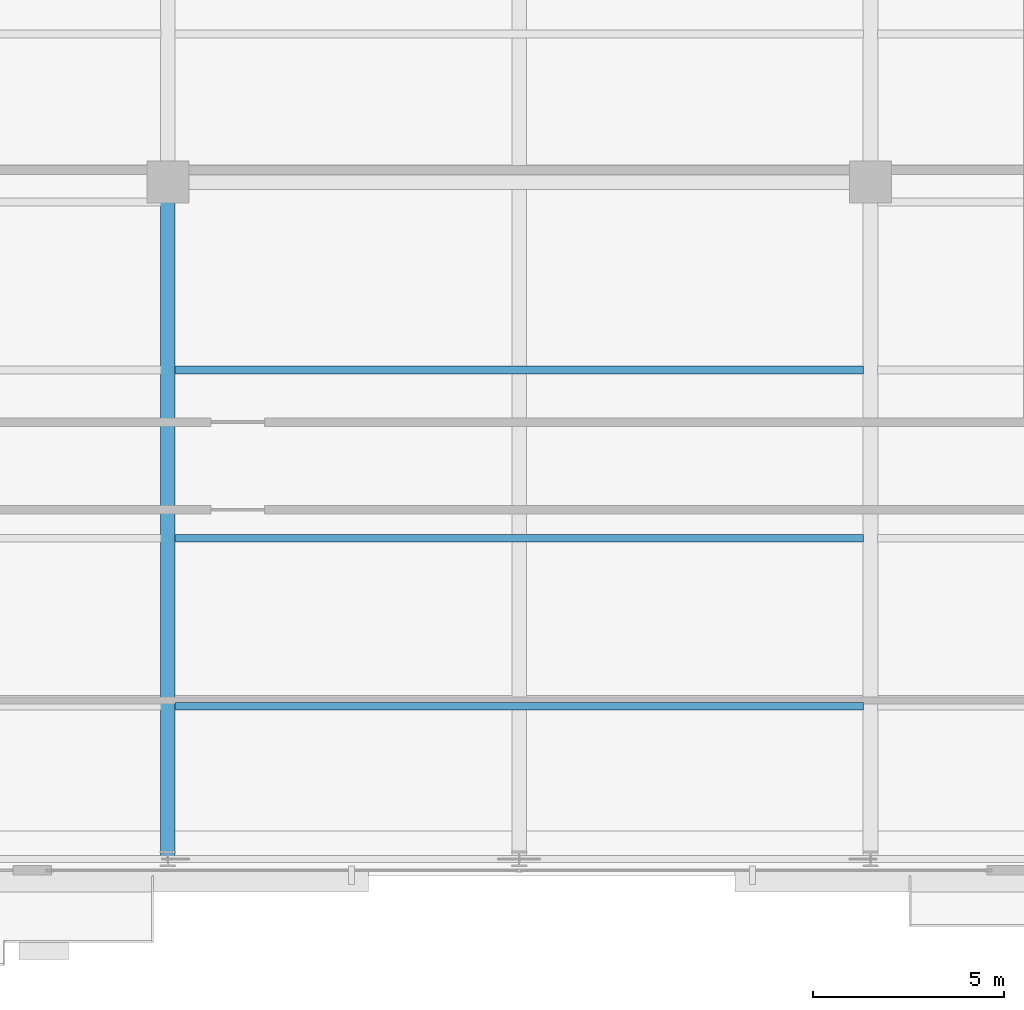
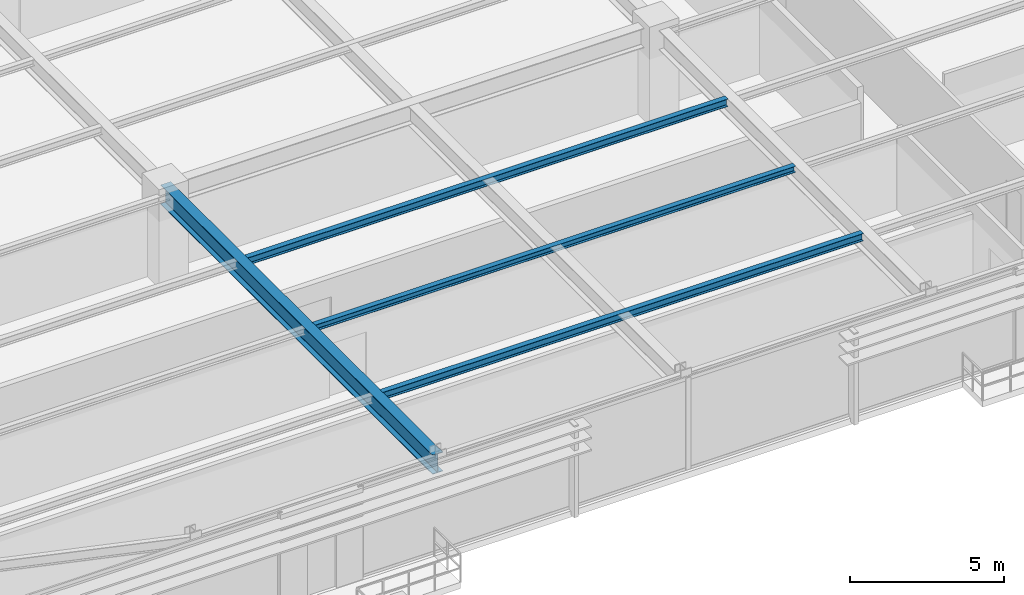
# One storey, part 7 of 31: 4 beams.
"""IFC4 building model written with IfcOpenShell, lengths in metres."""

from ifc_helpers import new_model, si_unit, direction, frame, origin, origin_2d, place, context, subcontext, project, spatial, i_section, extrude, source, transform, mapped, material, material_profile, profile_set, type_object, type_shapes, element, save


model = new_model("IFC4")

# Units and contexts
model_context = context("Model", 3, precision=1e-05, world=origin(), true_north=direction((0.0, 1.0)))
body_context = subcontext(model_context, "Body", "Model", "MODEL_VIEW")
ifc_project = project(units=[si_unit("LENGTHUNIT", "METRE"), si_unit("AREAUNIT", "SQUARE_METRE"), si_unit("VOLUMEUNIT", "CUBIC_METRE"), si_unit("PLANEANGLEUNIT", "RADIAN"), si_unit("MASSUNIT", "GRAM", prefix="KILO")], contexts=[model_context])

# Site, building, storey
site_placement = place(None, origin())
site = spatial("IfcSite", under=ifc_project, at=site_placement, CompositionType="ELEMENT")
building_placement = place(site_placement, origin())
building = spatial("IfcBuilding", under=site, at=building_placement, Name="Varnel Quay Broadcast Tower", CompositionType="ELEMENT")
storey_placement = place(building_placement, frame((0.0, 0.0, 39.300048828125)))
storey = spatial("IfcBuildingStorey", under=building, at=storey_placement, Name="L08", CompositionType="ELEMENT", Elevation=39.300048828125)

# Beams
ifc_material = material(Name="Structural Steel CSA G40.21 350W", Category="steel")
ifc_material_profile_1 = material_profile(ifc_material, i_section(OverallWidth=0.381103515625, OverallDepth=0.77294921875, WebThickness=0.0166015625, FlangeThickness=0.027587890625, FilletRadius=0.01806640625, at=origin_2d()), Name="W760X257")
ifc_profile_set_1 = profile_set([ifc_material_profile_1], Name="Structural Steel CSA G40.21 350W")
beam_type_1 = type_object("IfcBeamType", Name="Girder_W760X257", PredefinedType="BEAM", material=ifc_profile_set_1)
shared_shape_1 = source(origin(), body_context, "Body", "SweptSolid", [
    extrude(i_section(OverallWidth=0.381103515625, OverallDepth=0.77294921875, WebThickness=0.0166015625, FlangeThickness=0.027587890625, FilletRadius=0.01806640625, at=origin_2d()), origin(), (0.0, 0.0, 1.0), 17.68017578125),
])
type_shapes(beam_type_1, [shared_shape_1])
beam_1_placement = place(storey_placement, frame((24.800048828125, 1.669921875, 3.263427734375), z_axis=(0.0, 1.0, 0.0), x_axis=(-1.0, 0.0, 0.0)))
element("IfcBeam", 1, at=beam_1_placement, inside=storey, type_object=beam_type_1, Name="L08 Primary Girder TC-S2-IC-01", PredefinedType="BEAM", context=body_context, shape_type="MappedRepresentation", body=[
    mapped(shared_shape_1, transform((0.0, 0.0, 0.0), x_axis=(1.0, 0.0, 0.0), y_axis=(0.0, 1.0, 0.0), z_axis=(0.0, 0.0, 1.0), scale=1.0)),
])
ifc_material_profile_2 = material_profile(ifc_material, i_section(OverallWidth=0.202880859375, OverallDepth=0.302978515625, WebThickness=0.007568359375, FlangeThickness=0.01318359375, FilletRadius=0.011962890625, at=origin_2d()), Name="W310X60")
ifc_profile_set_2 = profile_set([ifc_material_profile_2], Name="Structural Steel CSA G40.21 350W")
beam_type_2 = type_object("IfcBeamType", Name="Beam_W310X60", PredefinedType="JOIST", material=ifc_profile_set_2)
shared_shape_2 = source(origin(), body_context, "Body", "SweptSolid", [
    extrude(i_section(OverallWidth=0.202880859375, OverallDepth=0.302978515625, WebThickness=0.007568359375, FlangeThickness=0.01318359375, FilletRadius=0.011962890625, at=origin_2d()), origin(), (0.0, 0.0, 1.0), 18.02880859375),
])
type_shapes(beam_type_2, [shared_shape_2])
for number, where, z_axis, x_axis, name in (
    (2, (24.985595703125, 5.64990234375, 3.49853515625), (1.0, 0.0, 0.0), (0.0, 1.0, 0.0), "L08 Central Floor Joist 1"),
    (3, (24.985595703125, 14.449951171875, 3.49853515625), (1.0, 0.0, 0.0), (0.0, 1.0, 0.0), "L08 Central Floor Joist 3"),
):
    element("IfcBeam", number, at=place(storey_placement, frame(where, z_axis=z_axis, x_axis=x_axis)), inside=storey, type_object=beam_type_2, Name=name, PredefinedType="JOIST", context=body_context, shape_type="MappedRepresentation", body=[
        mapped(shared_shape_2, transform((0.0, 0.0, 0.0), x_axis=(1.0, 0.0, 0.0), y_axis=(0.0, 1.0, 0.0), z_axis=(0.0, 0.0, 1.0), scale=1.0)),
    ])
ifc_material_profile_3 = material_profile(ifc_material, i_section(OverallWidth=0.201904296875, OverallDepth=0.2470703125, WebThickness=0.00732421875, FlangeThickness=0.010986328125, FilletRadius=0.010986328125, at=origin_2d()), Name="W250X49")
ifc_profile_set_3 = profile_set([ifc_material_profile_3], Name="Structural Steel CSA G40.21 350W")
beam_type_3 = type_object("IfcBeamType", Name="Beam_W250X49", PredefinedType="JOIST", material=ifc_profile_set_3)
shared_shape_3 = source(origin(), body_context, "Body", "SweptSolid", [
    extrude(i_section(OverallWidth=0.201904296875, OverallDepth=0.2470703125, WebThickness=0.00732421875, FlangeThickness=0.010986328125, FilletRadius=0.010986328125, at=origin_2d()), origin(), (0.0, 0.0, 1.0), 18.02880859375),
])
type_shapes(beam_type_3, [shared_shape_3])
beam_2_placement = place(storey_placement, frame((24.985595703125, 10.050048828125, 3.5263671875), z_axis=(1.0, 0.0, 0.0), x_axis=(0.0, 1.0, 0.0)))
element("IfcBeam", 4, at=beam_2_placement, inside=storey, type_object=beam_type_3, Name="L08 Central Floor Joist 2", PredefinedType="JOIST", context=body_context, shape_type="MappedRepresentation", body=[
    mapped(shared_shape_3, transform((0.0, 0.0, 0.0), x_axis=(1.0, 0.0, 0.0), y_axis=(0.0, 1.0, 0.0), z_axis=(0.0, 0.0, 1.0), scale=1.0)),
])

save(model, "model.ifc")
